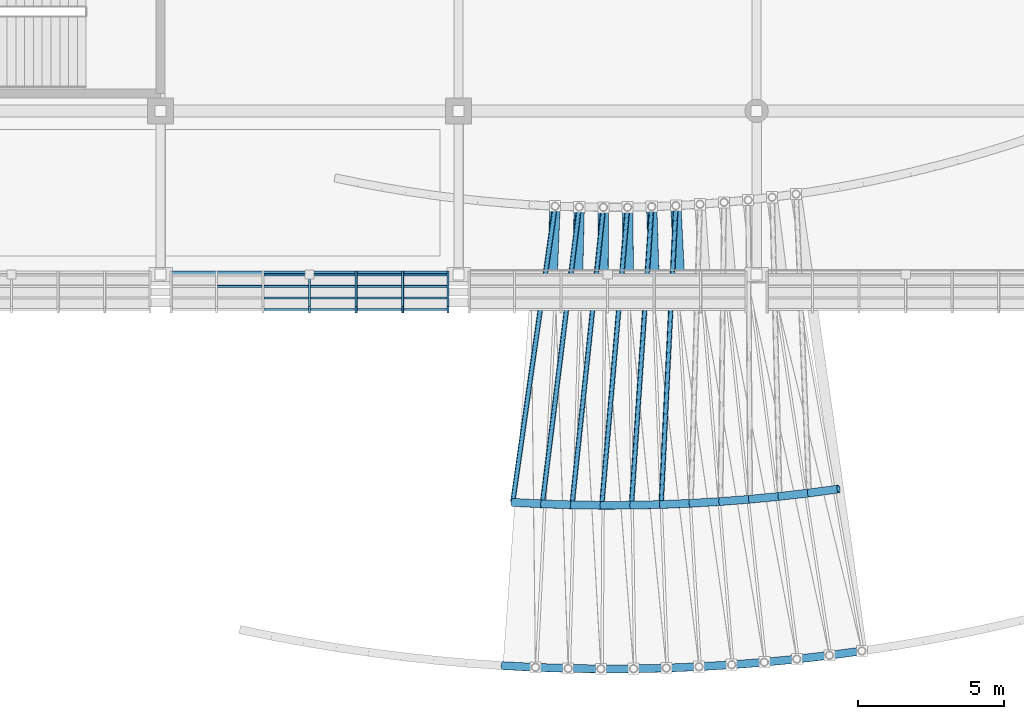
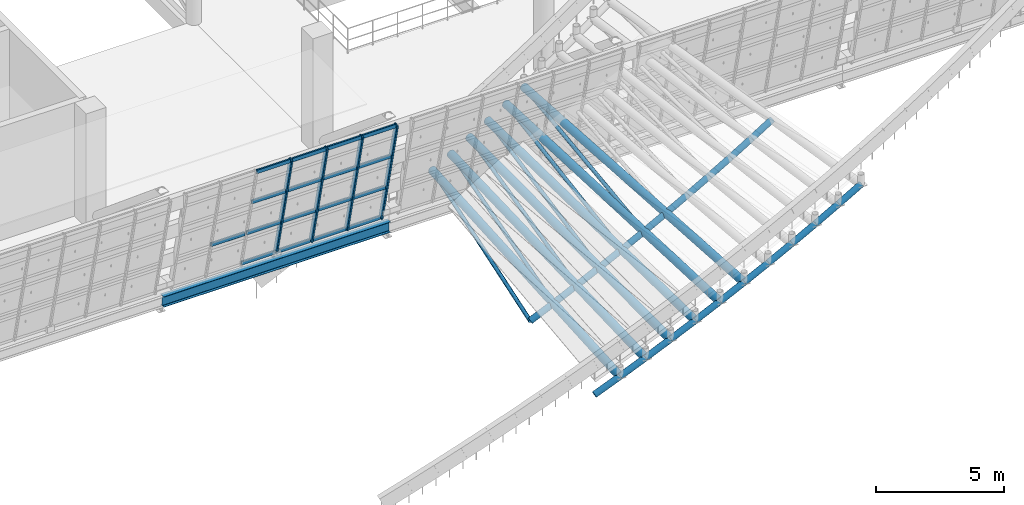
# One storey, part 44 of 175: 55 members, 1 beam, 1 element without a shape of its own.
"""IFC4 building model written with IfcOpenShell, lengths in metres."""

from ifc_helpers import new_model, si_unit, direction, frame, origin, origin_2d, place, context, subcontext, project, spatial, hollow_rectangle, hollow_circle, i_section, extrude, material, material_profile, profile_set, type_object, element, aggregate, save


model = new_model("IFC4")

# Units and contexts
model_context = context("Model", 3, precision=1e-05, world=origin(), true_north=direction((0.0, 1.0)))
body_context = subcontext(model_context, "Body", "Model", "MODEL_VIEW")
ifc_project = project(units=[si_unit("LENGTHUNIT", "METRE"), si_unit("AREAUNIT", "SQUARE_METRE"), si_unit("VOLUMEUNIT", "CUBIC_METRE"), si_unit("PLANEANGLEUNIT", "RADIAN"), si_unit("MASSUNIT", "GRAM", prefix="KILO")], contexts=[model_context])

# Site, building, storey
site_placement = place(None, origin())
site = spatial("IfcSite", under=ifc_project, at=site_placement, CompositionType="ELEMENT")
building_placement = place(site_placement, origin())
building = spatial("IfcBuilding", under=site, at=building_placement, Name="Brelvane Convention Centre", CompositionType="ELEMENT")
storey_placement = place(building_placement, frame((0.0, 0.0, 5.39990234375)))
storey = spatial("IfcBuildingStorey", under=building, at=storey_placement, Name="L01", CompositionType="ELEMENT", Elevation=5.39990234375)

# Curtain wall, members
ifc_material_1 = material(Name="Anodised Aluminium Alloy 6063-T6", Category="aluminium")
curtain_wall_type = type_object("IfcCurtainWallType", Name="Curtain Wall CW-HULL-S", PredefinedType="USERDEFINED", material=ifc_material_1)
curtain_wall_placement = place(storey_placement, origin())
curtain_wall = element("IfcCurtainWall", 1, at=curtain_wall_placement, inside=storey, type_object=curtain_wall_type, Name="Curtain Wall CW-HULL-S L01-HULL-S-L01-14", ObjectType="UNITISED", PredefinedType="USERDEFINED")
ifc_material_2 = material(Name="Anodised Aluminium Alloy 6063-T6", Category="aluminium")
ifc_material_profile_1 = material_profile(ifc_material_2, hollow_rectangle(XDim=0.080078125, YDim=0.239990234375, WallThickness=0.006103515625, InnerFilletRadius=0.006103515625, OuterFilletRadius=0.011962890625, at=origin_2d()), Name="ALU-M 240x80x6.0")
ifc_profile_set_1 = profile_set([ifc_material_profile_1], Name="Anodised Aluminium Alloy 6063-T6")
member_type_1 = type_object("IfcMemberType", Name="Curtain Mullion CW-M1", PredefinedType="MULLION", material=ifc_profile_set_1)
member_1_placement = place(storey_placement, frame((137.699951171875, 13.60009765625, 0.0), z_axis=(0.0, -0.228360162456, 0.973576723326), x_axis=(1.0, 0.0, 0.0)))
member_1 = element("IfcMember", 2, at=member_1_placement, type_object=member_type_1, Name="CW-HULL-S mullion 4", PredefinedType="MULLION", context=body_context, shape_type="SweptSolid", body=[
    extrude(hollow_rectangle(XDim=0.080078125, YDim=0.239990234375, WallThickness=0.006103515625, InnerFilletRadius=0.006103515625, OuterFilletRadius=0.011962890625, at=origin_2d()), origin(), (0.0, 0.0, 1.0), 5.2900390625),
])
member_2_placement = place(storey_placement, frame((139.293212890625, 13.60009765625, 0.0), z_axis=(0.0, -0.228360162456, 0.973576723326), x_axis=(1.0, 0.0, 0.0)))
member_2 = element("IfcMember", 3, at=member_2_placement, type_object=member_type_1, Name="CW-HULL-S mullion 5", PredefinedType="MULLION", context=body_context, shape_type="SweptSolid", body=[
    extrude(hollow_rectangle(XDim=0.080078125, YDim=0.239990234375, WallThickness=0.006103515625, InnerFilletRadius=0.006103515625, OuterFilletRadius=0.011962890625, at=origin_2d()), origin(), (0.0, 0.0, 1.0), 5.2900390625),
])
member_3_placement = place(storey_placement, frame((140.88671875, 13.60009765625, 0.0), z_axis=(0.0, -0.228360162456, 0.973576723326), x_axis=(1.0, 0.0, 0.0)))
member_3 = element("IfcMember", 4, at=member_3_placement, type_object=member_type_1, Name="CW-HULL-S mullion 6", PredefinedType="MULLION", context=body_context, shape_type="SweptSolid", body=[
    extrude(hollow_rectangle(XDim=0.080078125, YDim=0.239990234375, WallThickness=0.006103515625, InnerFilletRadius=0.006103515625, OuterFilletRadius=0.011962890625, at=origin_2d()), origin(), (0.0, 0.0, 1.0), 5.2900390625),
])
member_4_placement = place(storey_placement, frame((142.43994140625, 13.60009765625, 0.0), z_axis=(0.0, -0.228360162456, 0.973576723326), x_axis=(1.0, 0.0, 0.0)))
member_4 = element("IfcMember", 5, at=member_4_placement, type_object=member_type_1, Name="CW-HULL-S mullion 7", PredefinedType="MULLION", context=body_context, shape_type="SweptSolid", body=[
    extrude(hollow_rectangle(XDim=0.080078125, YDim=0.239990234375, WallThickness=0.006103515625, InnerFilletRadius=0.006103515625, OuterFilletRadius=0.011962890625, at=origin_2d()), origin(), (0.0, 0.0, 1.0), 5.2900390625),
])
ifc_material_3 = material(Name="Anodised Aluminium Alloy 6063-T6", Category="aluminium")
ifc_material_profile_2 = material_profile(ifc_material_3, hollow_rectangle(XDim=0.080078125, YDim=0.179931640625, WallThickness=0.0048828125, InnerFilletRadius=0.0048828125, OuterFilletRadius=0.010009765625, at=origin_2d()), Name="ALU-T 180x80x5.0")
ifc_profile_set_2 = profile_set([ifc_material_profile_2], Name="Anodised Aluminium Alloy 6063-T6")
member_type_2 = type_object("IfcMemberType", Name="Curtain Transom CW-T1", PredefinedType="USERDEFINED", material=ifc_profile_set_2)
member_5_placement = place(storey_placement, frame((134.55322265625, 13.197265625, 1.716796875), z_axis=(1.0, 0.0, 0.0), x_axis=(0.0, 1.0, 0.0)))
member_5 = element("IfcMember", 6, at=member_5_placement, type_object=member_type_2, Name="CW-HULL-S transom 2.2", ObjectType="TRANSOM", PredefinedType="USERDEFINED", context=body_context, shape_type="SweptSolid", body=[
    extrude(hollow_rectangle(XDim=0.080078125, YDim=0.179931640625, WallThickness=0.0048828125, InnerFilletRadius=0.0048828125, OuterFilletRadius=0.010009765625, at=origin_2d()), origin(), (0.0, 0.0, 1.0), 1.513427734375),
])
member_6_placement = place(storey_placement, frame((136.146728515625, 13.590576171875, 0.0400390625), z_axis=(1.0, 0.0, 0.0), x_axis=(0.0, 1.0, 0.0)))
member_6 = element("IfcMember", 7, at=member_6_placement, type_object=member_type_2, Name="CW-HULL-S transom 3.1", ObjectType="TRANSOM", PredefinedType="USERDEFINED", context=body_context, shape_type="SweptSolid", body=[
    extrude(hollow_rectangle(XDim=0.080078125, YDim=0.179931640625, WallThickness=0.0048828125, InnerFilletRadius=0.0048828125, OuterFilletRadius=0.010009765625, at=origin_2d()), origin(), (0.0, 0.0, 1.0), 1.51318359375),
])
member_7_placement = place(storey_placement, frame((136.146728515625, 13.197265625, 1.716796875), z_axis=(1.0, 0.0, 0.0), x_axis=(0.0, 1.0, 0.0)))
member_7 = element("IfcMember", 8, at=member_7_placement, type_object=member_type_2, Name="CW-HULL-S transom 3.2", ObjectType="TRANSOM", PredefinedType="USERDEFINED", context=body_context, shape_type="SweptSolid", body=[
    extrude(hollow_rectangle(XDim=0.080078125, YDim=0.179931640625, WallThickness=0.0048828125, InnerFilletRadius=0.0048828125, OuterFilletRadius=0.010009765625, at=origin_2d()), origin(), (0.0, 0.0, 1.0), 1.51318359375),
])
member_8_placement = place(storey_placement, frame((136.146728515625, 12.794677734375, 3.433349609375), z_axis=(1.0, 0.0, 0.0), x_axis=(0.0, 1.0, 0.0)))
member_8 = element("IfcMember", 9, at=member_8_placement, type_object=member_type_2, Name="CW-HULL-S transom 3.3", ObjectType="TRANSOM", PredefinedType="USERDEFINED", context=body_context, shape_type="SweptSolid", body=[
    extrude(hollow_rectangle(XDim=0.080078125, YDim=0.179931640625, WallThickness=0.0048828125, InnerFilletRadius=0.0048828125, OuterFilletRadius=0.010009765625, at=origin_2d()), origin(), (0.0, 0.0, 1.0), 1.51318359375),
])
member_9_placement = place(storey_placement, frame((136.146728515625, 12.4013671875, 5.110107421875), z_axis=(1.0, 0.0, 0.0), x_axis=(0.0, 1.0, 0.0)))
member_9 = element("IfcMember", 10, at=member_9_placement, type_object=member_type_2, Name="CW-HULL-S transom 3.4", ObjectType="TRANSOM", PredefinedType="USERDEFINED", context=body_context, shape_type="SweptSolid", body=[
    extrude(hollow_rectangle(XDim=0.080078125, YDim=0.179931640625, WallThickness=0.0048828125, InnerFilletRadius=0.0048828125, OuterFilletRadius=0.010009765625, at=origin_2d()), origin(), (0.0, 0.0, 1.0), 1.51318359375),
])
member_10_placement = place(storey_placement, frame((137.739990234375, 13.590576171875, 0.0400390625), z_axis=(1.0, 0.0, 0.0), x_axis=(0.0, 1.0, 0.0)))
member_10 = element("IfcMember", 11, at=member_10_placement, type_object=member_type_2, Name="CW-HULL-S transom 4.1", ObjectType="TRANSOM", PredefinedType="USERDEFINED", context=body_context, shape_type="SweptSolid", body=[
    extrude(hollow_rectangle(XDim=0.080078125, YDim=0.179931640625, WallThickness=0.0048828125, InnerFilletRadius=0.0048828125, OuterFilletRadius=0.010009765625, at=origin_2d()), origin(), (0.0, 0.0, 1.0), 1.513427734375),
])
member_11_placement = place(storey_placement, frame((137.739990234375, 13.197265625, 1.716796875), z_axis=(1.0, 0.0, 0.0), x_axis=(0.0, 1.0, 0.0)))
member_11 = element("IfcMember", 12, at=member_11_placement, type_object=member_type_2, Name="CW-HULL-S transom 4.2", ObjectType="TRANSOM", PredefinedType="USERDEFINED", context=body_context, shape_type="SweptSolid", body=[
    extrude(hollow_rectangle(XDim=0.080078125, YDim=0.179931640625, WallThickness=0.0048828125, InnerFilletRadius=0.0048828125, OuterFilletRadius=0.010009765625, at=origin_2d()), origin(), (0.0, 0.0, 1.0), 1.513427734375),
])
member_12_placement = place(storey_placement, frame((137.739990234375, 12.794677734375, 3.433349609375), z_axis=(1.0, 0.0, 0.0), x_axis=(0.0, 1.0, 0.0)))
member_12 = element("IfcMember", 13, at=member_12_placement, type_object=member_type_2, Name="CW-HULL-S transom 4.3", ObjectType="TRANSOM", PredefinedType="USERDEFINED", context=body_context, shape_type="SweptSolid", body=[
    extrude(hollow_rectangle(XDim=0.080078125, YDim=0.179931640625, WallThickness=0.0048828125, InnerFilletRadius=0.0048828125, OuterFilletRadius=0.010009765625, at=origin_2d()), origin(), (0.0, 0.0, 1.0), 1.513427734375),
])
member_13_placement = place(storey_placement, frame((137.739990234375, 12.4013671875, 5.110107421875), z_axis=(1.0, 0.0, 0.0), x_axis=(0.0, 1.0, 0.0)))
member_13 = element("IfcMember", 14, at=member_13_placement, type_object=member_type_2, Name="CW-HULL-S transom 4.4", ObjectType="TRANSOM", PredefinedType="USERDEFINED", context=body_context, shape_type="SweptSolid", body=[
    extrude(hollow_rectangle(XDim=0.080078125, YDim=0.179931640625, WallThickness=0.0048828125, InnerFilletRadius=0.0048828125, OuterFilletRadius=0.010009765625, at=origin_2d()), origin(), (0.0, 0.0, 1.0), 1.513427734375),
])
member_14_placement = place(storey_placement, frame((139.333251953125, 13.590576171875, 0.0400390625), z_axis=(1.0, 0.0, 0.0), x_axis=(0.0, 1.0, 0.0)))
member_14 = element("IfcMember", 15, at=member_14_placement, type_object=member_type_2, Name="CW-HULL-S transom 5.1", ObjectType="TRANSOM", PredefinedType="USERDEFINED", context=body_context, shape_type="SweptSolid", body=[
    extrude(hollow_rectangle(XDim=0.080078125, YDim=0.179931640625, WallThickness=0.0048828125, InnerFilletRadius=0.0048828125, OuterFilletRadius=0.010009765625, at=origin_2d()), origin(), (0.0, 0.0, 1.0), 1.513427734375),
])
member_15_placement = place(storey_placement, frame((139.333251953125, 13.197265625, 1.716796875), z_axis=(1.0, 0.0, 0.0), x_axis=(0.0, 1.0, 0.0)))
member_15 = element("IfcMember", 16, at=member_15_placement, type_object=member_type_2, Name="CW-HULL-S transom 5.2", ObjectType="TRANSOM", PredefinedType="USERDEFINED", context=body_context, shape_type="SweptSolid", body=[
    extrude(hollow_rectangle(XDim=0.080078125, YDim=0.179931640625, WallThickness=0.0048828125, InnerFilletRadius=0.0048828125, OuterFilletRadius=0.010009765625, at=origin_2d()), origin(), (0.0, 0.0, 1.0), 1.513427734375),
])
member_16_placement = place(storey_placement, frame((139.333251953125, 12.794677734375, 3.433349609375), z_axis=(1.0, 0.0, 0.0), x_axis=(0.0, 1.0, 0.0)))
member_16 = element("IfcMember", 17, at=member_16_placement, type_object=member_type_2, Name="CW-HULL-S transom 5.3", ObjectType="TRANSOM", PredefinedType="USERDEFINED", context=body_context, shape_type="SweptSolid", body=[
    extrude(hollow_rectangle(XDim=0.080078125, YDim=0.179931640625, WallThickness=0.0048828125, InnerFilletRadius=0.0048828125, OuterFilletRadius=0.010009765625, at=origin_2d()), origin(), (0.0, 0.0, 1.0), 1.513427734375),
])
member_17_placement = place(storey_placement, frame((139.333251953125, 12.4013671875, 5.110107421875), z_axis=(1.0, 0.0, 0.0), x_axis=(0.0, 1.0, 0.0)))
member_17 = element("IfcMember", 18, at=member_17_placement, type_object=member_type_2, Name="CW-HULL-S transom 5.4", ObjectType="TRANSOM", PredefinedType="USERDEFINED", context=body_context, shape_type="SweptSolid", body=[
    extrude(hollow_rectangle(XDim=0.080078125, YDim=0.179931640625, WallThickness=0.0048828125, InnerFilletRadius=0.0048828125, OuterFilletRadius=0.010009765625, at=origin_2d()), origin(), (0.0, 0.0, 1.0), 1.513427734375),
])
member_18_placement = place(storey_placement, frame((140.9267578125, 13.590576171875, 0.0400390625), z_axis=(1.0, 0.0, 0.0), x_axis=(0.0, 1.0, 0.0)))
member_18 = element("IfcMember", 19, at=member_18_placement, type_object=member_type_2, Name="CW-HULL-S transom 6.1", ObjectType="TRANSOM", PredefinedType="USERDEFINED", context=body_context, shape_type="SweptSolid", body=[
    extrude(hollow_rectangle(XDim=0.080078125, YDim=0.179931640625, WallThickness=0.0048828125, InnerFilletRadius=0.0048828125, OuterFilletRadius=0.010009765625, at=origin_2d()), origin(), (0.0, 0.0, 1.0), 1.47314453125),
])
member_19_placement = place(storey_placement, frame((140.9267578125, 13.197265625, 1.716796875), z_axis=(1.0, 0.0, 0.0), x_axis=(0.0, 1.0, 0.0)))
member_19 = element("IfcMember", 20, at=member_19_placement, type_object=member_type_2, Name="CW-HULL-S transom 6.2", ObjectType="TRANSOM", PredefinedType="USERDEFINED", context=body_context, shape_type="SweptSolid", body=[
    extrude(hollow_rectangle(XDim=0.080078125, YDim=0.179931640625, WallThickness=0.0048828125, InnerFilletRadius=0.0048828125, OuterFilletRadius=0.010009765625, at=origin_2d()), origin(), (0.0, 0.0, 1.0), 1.47314453125),
])
member_20_placement = place(storey_placement, frame((140.9267578125, 12.794677734375, 3.433349609375), z_axis=(1.0, 0.0, 0.0), x_axis=(0.0, 1.0, 0.0)))
member_20 = element("IfcMember", 21, at=member_20_placement, type_object=member_type_2, Name="CW-HULL-S transom 6.3", ObjectType="TRANSOM", PredefinedType="USERDEFINED", context=body_context, shape_type="SweptSolid", body=[
    extrude(hollow_rectangle(XDim=0.080078125, YDim=0.179931640625, WallThickness=0.0048828125, InnerFilletRadius=0.0048828125, OuterFilletRadius=0.010009765625, at=origin_2d()), origin(), (0.0, 0.0, 1.0), 1.47314453125),
])
member_21_placement = place(storey_placement, frame((140.9267578125, 12.4013671875, 5.110107421875), z_axis=(1.0, 0.0, 0.0), x_axis=(0.0, 1.0, 0.0)))
member_21 = element("IfcMember", 22, at=member_21_placement, type_object=member_type_2, Name="CW-HULL-S transom 6.4", ObjectType="TRANSOM", PredefinedType="USERDEFINED", context=body_context, shape_type="SweptSolid", body=[
    extrude(hollow_rectangle(XDim=0.080078125, YDim=0.179931640625, WallThickness=0.0048828125, InnerFilletRadius=0.0048828125, OuterFilletRadius=0.010009765625, at=origin_2d()), origin(), (0.0, 0.0, 1.0), 1.47314453125),
])
aggregate(curtain_wall, [member_1, member_2, member_3, member_4, member_5, member_6, member_7, member_8, member_9, member_10, member_11, member_12, member_13, member_14, member_15, member_16, member_17, member_18, member_19, member_20, member_21])

# Members
ifc_material_4 = material(Name="Steel E350 (350 MPa)", Category="steel")
ifc_material_profile_3 = material_profile(ifc_material_4, hollow_circle(Radius=0.084228515625, WallThickness=0.008056640625, at=origin_2d()), Name="CHS 168.3x8.0")
ifc_profile_set_3 = profile_set([ifc_material_profile_3], Name="Steel E350 (350 MPa)")
member_type_3 = type_object("IfcMemberType", Name="Steel Brace SF-DG3 (CHS 168.3x8.0)", PredefinedType="BRACE", material=ifc_profile_set_3)
member_22_placement = place(storey_placement, frame((150.237060546875, 15.9560546875, 2.052490234375), z_axis=(-0.04912374409, -0.997642998617, -0.047909342273), x_axis=(0.998789920917, -0.049180218318, 0.0)))
element("IfcMember", 23, at=member_22_placement, inside=storey, type_object=member_type_3, Name="Boulevard Canopy Space-Frame Brace 18", PredefinedType="BRACE", context=body_context, shape_type="SweptSolid", body=[
    extrude(hollow_circle(Radius=0.084228515625, WallThickness=0.008056640625, at=origin_2d()), origin(), (0.0, 0.0, 1.0), 10.2529296875),
])
member_23_placement = place(storey_placement, frame((149.41064453125, 15.92236328125, 1.561279296875), z_axis=(-0.067623411367, -0.996540497377, -0.048312641431), x_axis=(0.997705555535, -0.067702470078, 0.0)))
element("IfcMember", 24, at=member_23_placement, inside=storey, type_object=member_type_3, Name="Boulevard Canopy Space-Frame Brace 19", PredefinedType="BRACE", context=body_context, shape_type="SweptSolid", body=[
    extrude(hollow_circle(Radius=0.084228515625, WallThickness=0.008056640625, at=origin_2d()), origin(), (0.0, 0.0, 1.0), 10.253173828125),
])
for number, where, z_axis, x_axis, name in (
    (25, (148.583740234375, 15.90380859375, 1.06591796875), (-0.086075583673, -0.995095655009, -0.048740448071), (0.996279755348, -0.086178008126, 0.0), "Boulevard Canopy Space-Frame Brace 20"),
    (26, (147.756591796875, 15.900634765625, 0.566162109375), (-0.104504746484, -0.993307019606, -0.049192710466), (0.99451106846, -0.104631423148, 0.0), "Boulevard Canopy Space-Frame Brace 21"),
):
    element("IfcMember", number, at=place(storey_placement, frame(where, z_axis=z_axis, x_axis=x_axis)), inside=storey, type_object=member_type_3, Name=name, PredefinedType="BRACE", context=body_context, shape_type="SweptSolid", body=[
        extrude(hollow_circle(Radius=0.084228515625, WallThickness=0.008056640625, at=origin_2d()), origin(), (0.0, 0.0, 1.0), 10.25341796875),
    ])
member_24_placement = place(storey_placement, frame((146.9296875, 15.912841796875, 0.061767578125), z_axis=(-0.122905907708, -0.991175907009, -0.049643319948), x_axis=(0.992399525441, -0.123057636511, 0.0)))
element("IfcMember", 27, at=member_24_placement, inside=storey, type_object=member_type_3, Name="Boulevard Canopy Space-Frame Brace 22", PredefinedType="BRACE", context=body_context, shape_type="SweptSolid", body=[
    extrude(hollow_circle(Radius=0.084228515625, WallThickness=0.008056640625, at=origin_2d()), origin(), (0.0, 0.0, 1.0), 10.25390625),
])
member_25_placement = place(storey_placement, frame((146.103271484375, 15.9404296875, -0.447265625), z_axis=(-0.141283966628, -0.988702055646, -0.050070809204), x_axis=(0.989943771459, -0.141461405862, 0.0)))
element("IfcMember", 28, at=member_25_placement, inside=storey, type_object=member_type_3, Name="Boulevard Canopy Space-Frame Brace 23", PredefinedType="BRACE", context=body_context, shape_type="SweptSolid", body=[
    extrude(hollow_circle(Radius=0.084228515625, WallThickness=0.008056640625, at=origin_2d()), origin(), (0.0, 0.0, 1.0), 10.254150390625),
])
ifc_material_5 = material(Name="Steel E450 (450 MPa)", Category="steel")
ifc_material_profile_4 = material_profile(ifc_material_5, hollow_circle(Radius=0.136474609375, WallThickness=0.012451171875, at=origin_2d()), Name="CHS 273.0x12.5")
ifc_profile_set_4 = profile_set([ifc_material_profile_4], Name="Steel E450 (450 MPa)")
member_type_4 = type_object("IfcMemberType", Name="Steel Chord CN-CH1 (CHS 273.0x12.5)", PredefinedType="CHORD", material=ifc_profile_set_4)
member_26_placement = place(storey_placement, frame((155.80419921875, 6.258544921875, 4.439697265625), z_axis=(-0.900039470497, -0.12087802828, -0.418709271245), x_axis=(0.13310794107, -0.991101546777, 0.0)))
element("IfcMember", 29, at=member_26_placement, inside=storey, type_object=member_type_4, Name="Boulevard Canopy Arc Chord COL-13", PredefinedType="CHORD", context=body_context, shape_type="SweptSolid", body=[
    extrude(hollow_circle(Radius=0.136474609375, WallThickness=0.012451171875, at=origin_2d()), origin(), (0.0, 0.0, 1.0), 1.118896484375),
])
member_27_placement = place(storey_placement, frame((156.601806640625, 0.715576171875, 4.439697265625), z_axis=(-0.914330730273, -0.122862563492, -0.385880948184), x_axis=(0.133177336494, -0.991092224288, 0.0)))
element("IfcMember", 30, at=member_27_placement, inside=storey, type_object=member_type_4, Name="Boulevard Canopy Arc Chord OUT-13", PredefinedType="CHORD", context=body_context, shape_type="SweptSolid", body=[
    extrude(hollow_circle(Radius=0.136474609375, WallThickness=0.012451171875, at=origin_2d()), origin(), (0.0, 0.0, 1.0), 1.214111328125),
])
member_28_placement = place(storey_placement, frame((154.797119140625, 6.123291015625, 3.97119140625), z_axis=(-0.900645387307, -0.104113299911, -0.421898455916), x_axis=(0.114833831575, -0.993384714562, 0.0)))
element("IfcMember", 31, at=member_28_placement, inside=storey, type_object=member_type_4, Name="Boulevard Canopy Arc Chord COL-14", PredefinedType="CHORD", context=body_context, shape_type="SweptSolid", body=[
    extrude(hollow_circle(Radius=0.136474609375, WallThickness=0.012451171875, at=origin_2d()), origin(), (0.0, 0.0, 1.0), 1.120849609375),
])
member_29_placement = place(storey_placement, frame((155.49169921875, 0.56640625, 3.97119140625), z_axis=(-0.915175030534, -0.105813348199, -0.388919270326), x_axis=(0.114855728494, -0.993382183066, 0.0)))
element("IfcMember", 32, at=member_29_placement, inside=storey, type_object=member_type_4, Name="Boulevard Canopy Arc Chord OUT-14", PredefinedType="CHORD", context=body_context, shape_type="SweptSolid", body=[
    extrude(hollow_circle(Radius=0.136474609375, WallThickness=0.012451171875, at=origin_2d()), origin(), (0.0, 0.0, 1.0), 1.2158203125),
])
member_30_placement = place(storey_placement, frame((153.78759765625, 6.006591796875, 3.498291015625), z_axis=(-0.900822712049, -0.087407851857, -0.425297906051), x_axis=(0.096577561091, -0.995325461693, 0.0)))
element("IfcMember", 33, at=member_30_placement, inside=storey, type_object=member_type_4, Name="Boulevard Canopy Arc Chord COL-15", PredefinedType="CHORD", context=body_context, shape_type="SweptSolid", body=[
    extrude(hollow_circle(Radius=0.136474609375, WallThickness=0.012451171875, at=origin_2d()), origin(), (0.0, 0.0, 1.0), 1.122802734375),
])
member_31_placement = place(storey_placement, frame((154.37890625, 0.437744140625, 3.498291015625), z_axis=(-0.915589952366, -0.088631353251, -0.392223816651), x_axis=(0.096352061725, -0.995347316368, 0.0)))
element("IfcMember", 34, at=member_31_placement, inside=storey, type_object=member_type_4, Name="Boulevard Canopy Arc Chord OUT-15", PredefinedType="CHORD", context=body_context, shape_type="SweptSolid", body=[
    extrude(hollow_circle(Radius=0.136474609375, WallThickness=0.012451171875, at=origin_2d()), origin(), (0.0, 0.0, 1.0), 1.217529296875),
])
member_32_placement = place(storey_placement, frame((152.776123046875, 5.908447265625, 3.020751953125), z_axis=(-0.900809428347, -0.070328254165, -0.428481400375), x_axis=(0.077835435055, -0.996966220616, 0.0)))
element("IfcMember", 35, at=member_32_placement, inside=storey, type_object=member_type_4, Name="Boulevard Canopy Arc Chord COL-16", PredefinedType="CHORD", context=body_context, shape_type="SweptSolid", body=[
    extrude(hollow_circle(Radius=0.136474609375, WallThickness=0.012451171875, at=origin_2d()), origin(), (0.0, 0.0, 1.0), 1.124755859375),
])
member_33_placement = place(storey_placement, frame((153.26416015625, 0.329833984375, 3.020751953125), z_axis=(-0.915764604081, -0.071490917047, -0.39530271779), x_axis=(0.077830109162, -0.996966636407, 0.0)))
element("IfcMember", 36, at=member_33_placement, inside=storey, type_object=member_type_4, Name="Boulevard Canopy Arc Chord OUT-16", PredefinedType="CHORD", context=body_context, shape_type="SweptSolid", body=[
    extrude(hollow_circle(Radius=0.136474609375, WallThickness=0.012451171875, at=origin_2d()), origin(), (0.0, 0.0, 1.0), 1.21923828125),
])
member_34_placement = place(storey_placement, frame((151.762939453125, 5.829345703125, 2.538818359375), z_axis=(-0.900433411704, -0.053527569841, -0.431687931676), x_axis=(0.059341689314, -0.998237729155, 0.0)))
element("IfcMember", 37, at=member_34_placement, inside=storey, type_object=member_type_4, Name="Boulevard Canopy Arc Chord COL-17", PredefinedType="CHORD", context=body_context, shape_type="SweptSolid", body=[
    extrude(hollow_circle(Radius=0.136474609375, WallThickness=0.012451171875, at=origin_2d()), origin(), (0.0, 0.0, 1.0), 1.12646484375),
])
member_35_placement = place(storey_placement, frame((152.147705078125, 0.24267578125, 2.538818359375), z_axis=(-0.915652246374, -0.054579271454, -0.398248749951), x_axis=(0.059501376641, -0.998228223493, 0.0)))
element("IfcMember", 38, at=member_35_placement, inside=storey, type_object=member_type_4, Name="Boulevard Canopy Arc Chord OUT-17", PredefinedType="CHORD", context=body_context, shape_type="SweptSolid", body=[
    extrude(hollow_circle(Radius=0.136474609375, WallThickness=0.012451171875, at=origin_2d()), origin(), (0.0, 0.0, 1.0), 1.22119140625),
])
member_36_placement = place(storey_placement, frame((150.74853515625, 5.76904296875, 2.052490234375), z_axis=(-0.899537609916, -0.036993970971, -0.435274091186), x_axis=(0.041090807157, -0.999155416123, 0.0)))
element("IfcMember", 39, at=member_36_placement, inside=storey, type_object=member_type_4, Name="Boulevard Canopy Arc Chord COL-18", PredefinedType="CHORD", context=body_context, shape_type="SweptSolid", body=[
    extrude(hollow_circle(Radius=0.136474609375, WallThickness=0.012451171875, at=origin_2d()), origin(), (0.0, 0.0, 1.0), 1.12841796875),
])
member_37_placement = place(storey_placement, frame((151.029541015625, 0.176025390625, 2.052490234375), z_axis=(-0.915034879927, -0.037527608514, -0.401625257071), x_axis=(0.040977768542, -0.999160058492, 0.0)))
element("IfcMember", 40, at=member_37_placement, inside=storey, type_object=member_type_4, Name="Boulevard Canopy Arc Chord OUT-18", PredefinedType="CHORD", context=body_context, shape_type="SweptSolid", body=[
    extrude(hollow_circle(Radius=0.136474609375, WallThickness=0.012451171875, at=origin_2d()), origin(), (0.0, 0.0, 1.0), 1.22314453125),
])
member_38_placement = place(storey_placement, frame((149.7333984375, 5.727294921875, 1.561279296875), z_axis=(-0.898693019739, -0.020081319278, -0.438118245327), x_axis=(0.02233945008, -0.999750443346, 0.0)))
element("IfcMember", 41, at=member_38_placement, inside=storey, type_object=member_type_4, Name="Boulevard Canopy Arc Chord COL-19", PredefinedType="CHORD", context=body_context, shape_type="SweptSolid", body=[
    extrude(hollow_circle(Radius=0.136474609375, WallThickness=0.012451171875, at=origin_2d()), origin(), (0.0, 0.0, 1.0), 1.130615234375),
])
member_39_placement = place(storey_placement, frame((149.910400390625, 0.130126953125, 1.561279296875), z_axis=(-0.914336363761, -0.020331874668, -0.404444840216), x_axis=(0.022231260346, -0.999752854991, 0.0)))
element("IfcMember", 42, at=member_39_placement, inside=storey, type_object=member_type_4, Name="Boulevard Canopy Arc Chord OUT-19", PredefinedType="CHORD", context=body_context, shape_type="SweptSolid", body=[
    extrude(hollow_circle(Radius=0.136474609375, WallThickness=0.012451171875, at=origin_2d()), origin(), (0.0, 0.0, 1.0), 1.224853515625),
])
member_40_placement = place(storey_placement, frame((148.71728515625, 5.70458984375, 1.06591796875), z_axis=(-0.897334828714, -0.003449629327, -0.441336952037), x_axis=(0.003844277216, -0.999992610739, 0.0)))
element("IfcMember", 43, at=member_40_placement, inside=storey, type_object=member_type_4, Name="Boulevard Canopy Arc Chord COL-20", PredefinedType="CHORD", context=body_context, shape_type="SweptSolid", body=[
    extrude(hollow_circle(Radius=0.136474609375, WallThickness=0.012451171875, at=origin_2d()), origin(), (0.0, 0.0, 1.0), 1.13232421875),
])
member_41_placement = place(storey_placement, frame((148.79052734375, 0.105224609375, 1.06591796875), z_axis=(-0.91318891383, -0.003583475136, -0.407520755747), x_axis=(0.003924103207, -0.999992300677, 0.0)))
element("IfcMember", 44, at=member_41_placement, inside=storey, type_object=member_type_4, Name="Boulevard Canopy Arc Chord OUT-20", PredefinedType="CHORD", context=body_context, shape_type="SweptSolid", body=[
    extrude(hollow_circle(Radius=0.136474609375, WallThickness=0.012451171875, at=origin_2d()), origin(), (0.0, 0.0, 1.0), 1.226318359375),
])
member_42_placement = place(storey_placement, frame((147.701171875, 5.70068359375, 0.566162109375), z_axis=(-0.895635011962, 0.013341992009, -0.444589604688), x_axis=(-0.014895031691, -0.999889062862, 0.0)))
element("IfcMember", 45, at=member_42_placement, inside=storey, type_object=member_type_4, Name="Boulevard Canopy Arc Chord COL-21", PredefinedType="CHORD", context=body_context, shape_type="SweptSolid", body=[
    extrude(hollow_circle(Radius=0.136474609375, WallThickness=0.012451171875, at=origin_2d()), origin(), (0.0, 0.0, 1.0), 1.134521484375),
])
member_43_placement = place(storey_placement, frame((147.670654296875, 0.100830078125, 0.566162109375), z_axis=(-0.911734100446, 0.013513059902, -0.410558555258), x_axis=(-0.014819645258, -0.999890183027, 0.0)))
element("IfcMember", 46, at=member_43_placement, inside=storey, type_object=member_type_4, Name="Boulevard Canopy Arc Chord OUT-21", PredefinedType="CHORD", context=body_context, shape_type="SweptSolid", body=[
    extrude(hollow_circle(Radius=0.136474609375, WallThickness=0.012451171875, at=origin_2d()), origin(), (0.0, 0.0, 1.0), 1.228515625),
])
member_44_placement = place(storey_placement, frame((146.68505859375, 5.7158203125, 0.061767578125), z_axis=(-0.893604088632, 0.029643597171, -0.447876087692), x_axis=(-0.033154839267, -0.999450227192, 0.0)))
element("IfcMember", 47, at=member_44_placement, inside=storey, type_object=member_type_4, Name="Boulevard Canopy Arc Chord COL-22", PredefinedType="CHORD", context=body_context, shape_type="SweptSolid", body=[
    extrude(hollow_circle(Radius=0.136474609375, WallThickness=0.012451171875, at=origin_2d()), origin(), (0.0, 0.0, 1.0), 1.136474609375),
])
member_45_placement = place(storey_placement, frame((146.550537109375, 0.117431640625, 0.061767578125), z_axis=(-0.90988425032, 0.030164101646, -0.413764157452), x_axis=(-0.033133378998, -0.999450938864, 0.0)))
element("IfcMember", 48, at=member_45_placement, inside=storey, type_object=member_type_4, Name="Boulevard Canopy Arc Chord OUT-22", PredefinedType="CHORD", context=body_context, shape_type="SweptSolid", body=[
    extrude(hollow_circle(Radius=0.136474609375, WallThickness=0.012451171875, at=origin_2d()), origin(), (0.0, 0.0, 1.0), 1.230224609375),
])
member_46_placement = place(storey_placement, frame((145.66943359375, 5.74951171875, -0.447265625), z_axis=(-0.891356123687, 0.046315353071, -0.45093142365), x_axis=(-0.051890546084, -0.99865277811, 0.0)))
element("IfcMember", 49, at=member_46_placement, inside=storey, type_object=member_type_4, Name="Boulevard Canopy Arc Chord COL-23", PredefinedType="CHORD", context=body_context, shape_type="SweptSolid", body=[
    extrude(hollow_circle(Radius=0.136474609375, WallThickness=0.012451171875, at=origin_2d()), origin(), (0.0, 0.0, 1.0), 1.138671875),
])
member_47_placement = place(storey_placement, frame((145.43115234375, 0.154541015625, -0.447265625), z_axis=(-0.907799705674, 0.047163573445, -0.416743676279), x_axis=(-0.051883747056, -0.998653131368, 0.0)))
element("IfcMember", 50, at=member_47_placement, inside=storey, type_object=member_type_4, Name="Boulevard Canopy Arc Chord OUT-23", PredefinedType="CHORD", context=body_context, shape_type="SweptSolid", body=[
    extrude(hollow_circle(Radius=0.136474609375, WallThickness=0.012451171875, at=origin_2d()), origin(), (0.0, 0.0, 1.0), 1.23193359375),
])
ifc_material_6 = material(Name="Steel E450 (450 MPa)", Category="steel")
ifc_material_profile_5 = material_profile(ifc_material_6, hollow_circle(Radius=0.177734375, WallThickness=0.01611328125, at=origin_2d()), Name="CHS 355.6x16.0")
ifc_profile_set_5 = profile_set([ifc_material_profile_5], Name="Steel E450 (450 MPa)")
member_type_5 = type_object("IfcMemberType", Name="Steel Rafter CN-RF1 (CHS 355.6x16.0)", PredefinedType="RAFTER", material=ifc_profile_set_5)
member_48_placement = place(storey_placement, frame((150.237060546875, 15.9560546875, 2.052490234375), z_axis=(0.05015725792, -0.998741332617, 0.0), x_axis=(0.998741332617, 0.05015725792, 0.0)))
element("IfcMember", 51, at=member_48_placement, inside=storey, type_object=member_type_5, Name="Boulevard Canopy Radial Rafter R-18", PredefinedType="RAFTER", context=body_context, shape_type="SweptSolid", body=[
    extrude(hollow_circle(Radius=0.177734375, WallThickness=0.01611328125, at=origin_2d()), origin(), (0.0, 0.0, 1.0), 15.7998046875),
])
for number, where, z_axis, x_axis, name in (
    (52, (149.41064453125, 15.92236328125, 1.561279296875), (0.031629833608, -0.999499651639, 0.0), (0.999499651639, 0.031629833608, 0.0), "Boulevard Canopy Radial Rafter R-19"),
    (53, (148.583740234375, 15.90380859375, 1.06591796875), (0.013087843719, -0.999914350505, 0.0), (0.999914350505, 0.013087843719, 0.0), "Boulevard Canopy Radial Rafter R-20"),
    (54, (147.756591796875, 15.900634765625, 0.566162109375), (-0.00543906906, -0.999985208154, 0.0), (0.999985208154, -0.00543906906, 0.0), "Boulevard Canopy Radial Rafter R-21"),
    (55, (146.9296875, 15.912841796875, 0.061767578125), (-0.023996920869, -0.999712032432, 0.0), (0.999712032432, -0.023996920869, 0.0), "Boulevard Canopy Radial Rafter R-22"),
):
    element("IfcMember", number, at=place(storey_placement, frame(where, z_axis=z_axis, x_axis=x_axis)), inside=storey, type_object=member_type_5, Name=name, PredefinedType="RAFTER", context=body_context, shape_type="SweptSolid", body=[
        extrude(hollow_circle(Radius=0.177734375, WallThickness=0.01611328125, at=origin_2d()), origin(), (0.0, 0.0, 1.0), 15.800048828125),
    ])
member_49_placement = place(storey_placement, frame((146.103271484375, 15.9404296875, -0.447265625), z_axis=(-0.042538672763, -0.999094820985, 0.0), x_axis=(0.999094820985, -0.042538672763, 0.0)))
element("IfcMember", 56, at=member_49_placement, inside=storey, type_object=member_type_5, Name="Boulevard Canopy Radial Rafter R-23", PredefinedType="RAFTER", context=body_context, shape_type="SweptSolid", body=[
    extrude(hollow_circle(Radius=0.177734375, WallThickness=0.01611328125, at=origin_2d()), origin(), (0.0, 0.0, 1.0), 15.80029296875),
])

# Beam
ifc_material_7 = material(Name="Steel E350 (350 MPa)", Category="steel")
ifc_material_profile_6 = material_profile(ifc_material_7, i_section(OverallWidth=0.25, OverallDepth=0.5, WebThickness=0.010009765625, FlangeThickness=0.0146484375, FilletRadius=0.01611328125, at=origin_2d()), Name="ISWB 500")
ifc_profile_set_6 = profile_set([ifc_material_profile_6], Name="Steel E350 (350 MPa)")
beam_type = type_object("IfcBeamType", Name="Steel Spandrel SP-ST1 (ISWB 500)", PredefinedType="SPANDREL", material=ifc_profile_set_6)
beam_placement = place(storey_placement, frame((132.60009765625, 13.60009765625, -0.510009765625), z_axis=(1.0, 0.0, 0.0), x_axis=(0.0, 1.0, 0.0)))
element("IfcBeam", 57, at=beam_placement, inside=storey, type_object=beam_type, Name="L01 Hull Overhang Edge Spandrel 14", PredefinedType="SPANDREL", context=body_context, shape_type="SweptSolid", body=[
    extrude(i_section(OverallWidth=0.25, OverallDepth=0.5, WebThickness=0.010009765625, FlangeThickness=0.0146484375, FilletRadius=0.01611328125, at=origin_2d()), origin(), (0.0, 0.0, 1.0), 10.199951171875),
])

save(model, "model.ifc")
